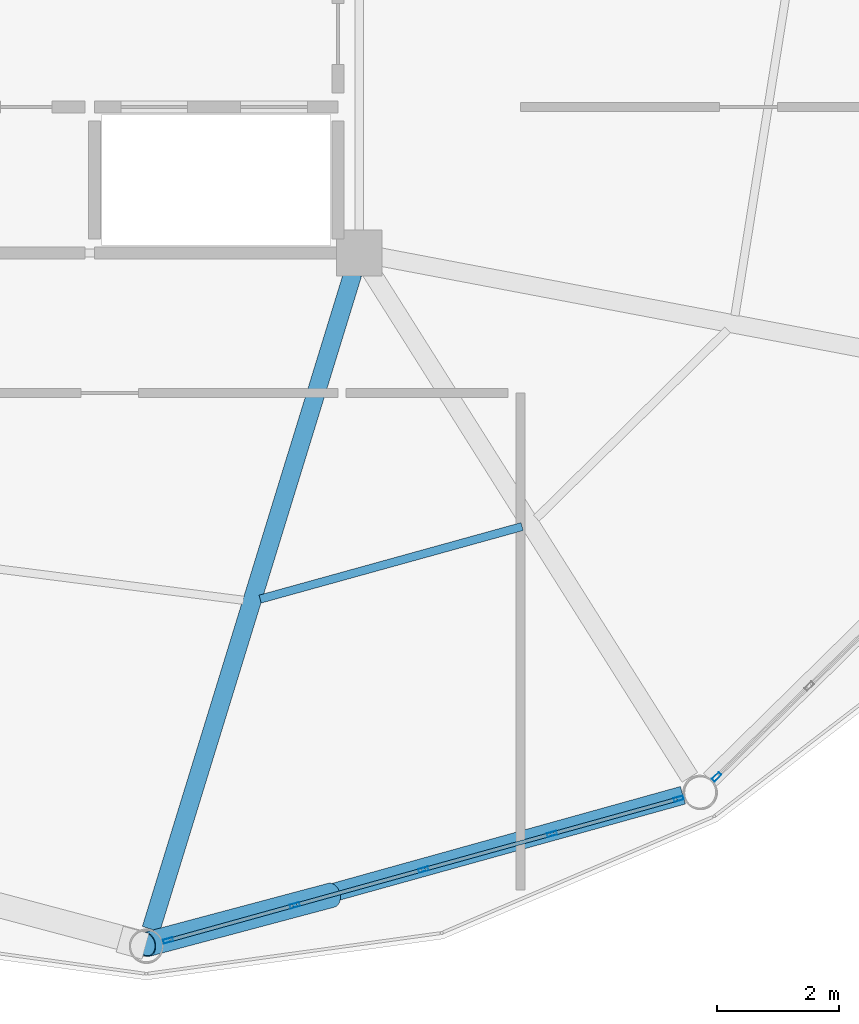
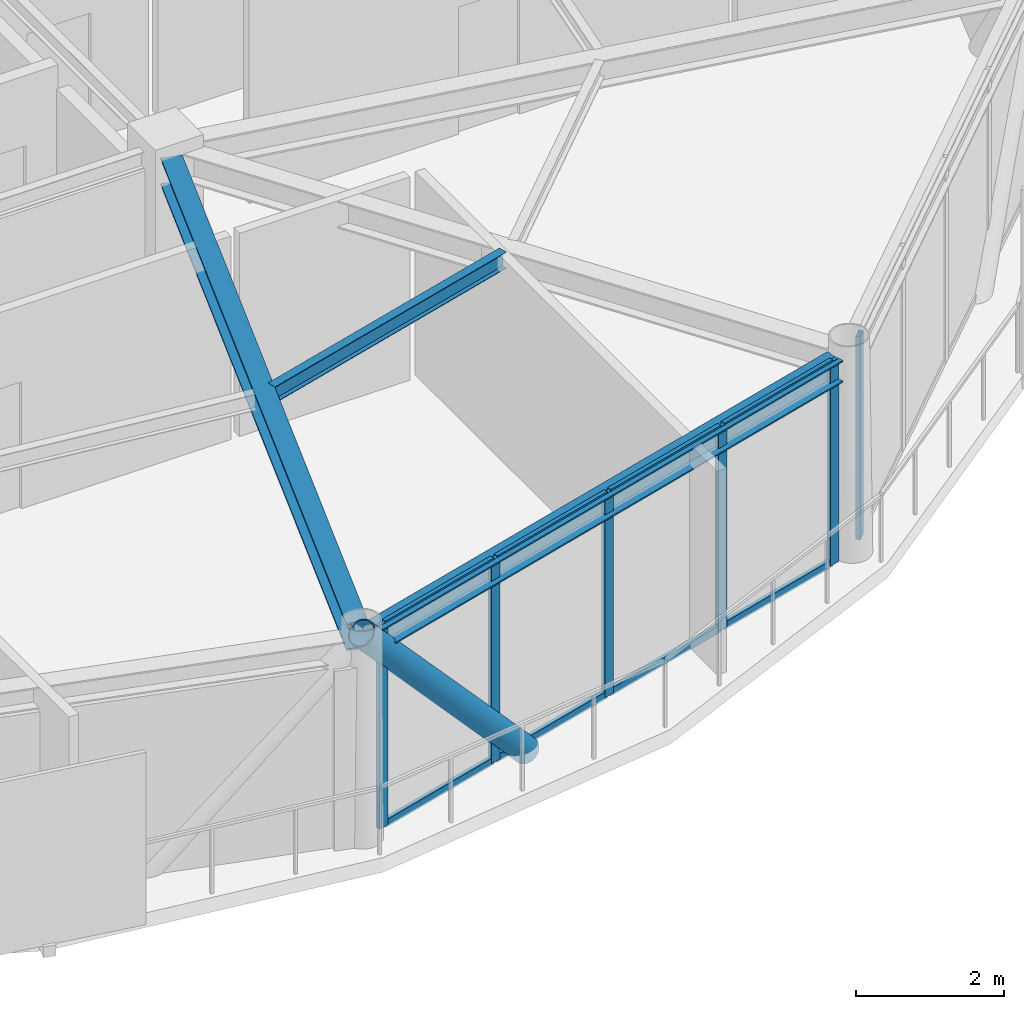
# One storey, part 7 of 26: 15 members, 3 beams, 2 elements without a shape of their own.
"""IFC4 building model written with IfcOpenShell, lengths in metres."""

from ifc_helpers import new_model, si_unit, direction, frame, origin, origin_2d, place, context, subcontext, project, spatial, hollow_rectangle, hollow_circle, i_section, extrude, material, layer, layer_set, material_profile, profile_set, type_object, element, aggregate, save


model = new_model("IFC4")

# Units and contexts
model_context = context("Model", 3, precision=1e-05, world=origin(), true_north=direction((0.0, 1.0)))
body_context = subcontext(model_context, "Body", "Model", "MODEL_VIEW")
ifc_project = project(units=[si_unit("LENGTHUNIT", "METRE"), si_unit("AREAUNIT", "SQUARE_METRE"), si_unit("VOLUMEUNIT", "CUBIC_METRE"), si_unit("PLANEANGLEUNIT", "RADIAN"), si_unit("MASSUNIT", "GRAM", prefix="KILO")], contexts=[model_context])

# Site, building, storey
site_placement = place(None, origin())
site = spatial("IfcSite", under=ifc_project, at=site_placement, CompositionType="ELEMENT")
building_placement = place(site_placement, origin())
building = spatial("IfcBuilding", under=site, at=building_placement, Name="Varnakorn Sky Granary", CompositionType="ELEMENT")
storey_placement = place(building_placement, frame((0.0, 0.0, 256.199951171875)))
storey = spatial("IfcBuildingStorey", under=building, at=storey_placement, Name="L65", CompositionType="ELEMENT", Elevation=256.199951171875)

# Beams
ifc_material_1 = material(Name="Steel S355JR", Category="steel")
ifc_material_profile_1 = material_profile(ifc_material_1, i_section(OverallWidth=0.300048828125, OverallDepth=0.449951171875, WebThickness=0.013916015625, FlangeThickness=0.02587890625, at=origin_2d()), Name="HE 450 B")
ifc_profile_set_1 = profile_set([ifc_material_profile_1], Name="Steel S355JR")
beam_type_1 = type_object("IfcBeamType", Name="BM-RAD-Z5", PredefinedType="BEAM", material=ifc_profile_set_1)
beam_1_placement = place(storey_placement, frame((8.24560546875, -6.939208984375, 3.135009765625), z_axis=(-0.29418624369, -0.955748112226, 0.0), x_axis=(0.955748112226, -0.29418624369, 0.0)))
element("IfcBeam", 1, at=beam_1_placement, inside=storey, type_object=beam_type_1, Name="Radial Floor Girder RG10 L65", PredefinedType="BEAM", context=body_context, shape_type="SweptSolid", body=[
    extrude(i_section(OverallWidth=0.300048828125, OverallDepth=0.449951171875, WebThickness=0.013916015625, FlangeThickness=0.02587890625, at=origin_2d()), origin(), (0.0, 0.0, 1.0), 11.278076171875),
])
ifc_material_profile_2 = material_profile(ifc_material_1, i_section(OverallWidth=0.135009765625, OverallDepth=0.27001953125, WebThickness=0.006591796875, FlangeThickness=0.01025390625, at=origin_2d()), Name="IPE 270")
ifc_profile_set_2 = profile_set([ifc_material_profile_2], Name="Steel S355JR")
beam_type_2 = type_object("IfcBeamType", Name="BM-SEC-Z5", PredefinedType="BEAM", material=ifc_profile_set_2)
beam_2_placement = place(storey_placement, frame((6.7216796875, -12.29150390625, 3.22509765625), z_axis=(0.963732831999, 0.266868935112, 0.0), x_axis=(-0.266868935112, 0.963732831999, 0.0)))
element("IfcBeam", 2, at=beam_2_placement, inside=storey, type_object=beam_type_2, Name="Secondary Floor Chord Beam MSB10 L65", PredefinedType="BEAM", context=body_context, shape_type="SweptSolid", body=[
    extrude(i_section(OverallWidth=0.135009765625, OverallDepth=0.27001953125, WebThickness=0.006591796875, FlangeThickness=0.01025390625, at=origin_2d()), origin(), (0.0, 0.0, 1.0), 4.468994140625),
])
ifc_material_profile_3 = material_profile(ifc_material_1, i_section(OverallWidth=0.300048828125, OverallDepth=0.360107421875, WebThickness=0.012451171875, FlangeThickness=0.0224609375, at=origin_2d()), Name="HE 360 B")
ifc_profile_set_3 = profile_set([ifc_material_profile_3], Name="Steel S355JR")
beam_type_3 = type_object("IfcBeamType", Name="BM-SPD-Z5", PredefinedType="SPANDREL", material=ifc_profile_set_3)
beam_3_placement = place(storey_placement, frame((5.104736328125, -17.900146484375, 3.179931640625), z_axis=(0.963443151214, 0.267912848477, 0.0), x_axis=(-0.267912848477, 0.963443151214, 0.0)))
element("IfcBeam", 3, at=beam_3_placement, inside=storey, type_object=beam_type_3, Name="Perimeter Spandrel Ring Beam RB10 L65", PredefinedType="SPANDREL", context=body_context, shape_type="SweptSolid", body=[
    extrude(i_section(OverallWidth=0.300048828125, OverallDepth=0.360107421875, WebThickness=0.012451171875, FlangeThickness=0.0224609375, at=origin_2d()), origin(), (0.0, 0.0, 1.0), 8.89404296875),
])

# Curtain wall, members
ifc_material_2 = material(Name="Anodised Bronze Aluminium Alloy 6063-T6", Category="aluminium")
ifc_layer = layer(ifc_material_2, 0.159912109375, Name="Anodised Bronze Aluminium Alloy 6063-T6")
ifc_layer_set = layer_set([ifc_layer], Name="Anodised Bronze Aluminium Alloy 6063-T6")
curtain_wall_type = type_object("IfcCurtainWallType", Name="CW-OFF-1", PredefinedType="USERDEFINED", material=ifc_layer_set)
curtain_wall_1_placement = place(storey_placement, origin())
curtain_wall_1 = element("IfcCurtainWall", 4, at=curtain_wall_1_placement, inside=storey, type_object=curtain_wall_type, Name="Unitised Curtain Wall CW6 CW-L65-B10", ObjectType="CURTAIN WALL", PredefinedType="USERDEFINED")
ifc_material_profile_4 = material_profile(ifc_material_2, hollow_rectangle(XDim=0.06494140625, YDim=0.159912109375, WallThickness=0.00341796875, at=origin_2d()), Name="ALU MULL 65x160")
ifc_profile_set_4 = profile_set([ifc_material_profile_4], Name="Anodised Bronze Aluminium Alloy 6063-T6")
member_type_1 = type_object("IfcMemberType", Name="CW-OFF-1-MULL", PredefinedType="MULLION", material=ifc_profile_set_4)
member_1_placement = place(storey_placement, frame((13.60400390625, -15.575439453125, 0.0), z_axis=(0.0, 0.0, 1.0), x_axis=(0.26742939855, -0.963577457598, 0.0)))
member_1 = element("IfcMember", 5, at=member_1_placement, type_object=member_type_1, Name="CW6 mullion 1", PredefinedType="MULLION", context=body_context, shape_type="SweptSolid", body=[
    extrude(hollow_rectangle(XDim=0.06494140625, YDim=0.159912109375, WallThickness=0.00341796875, at=origin_2d()), origin(), (0.0, 0.0, 1.0), 3.360107421875),
])
member_2_placement = place(storey_placement, frame((11.520751953125, -16.153564453125, 0.0), z_axis=(0.0, 0.0, 1.0), x_axis=(0.26742939855, -0.963577457598, 0.0)))
member_2 = element("IfcMember", 6, at=member_2_placement, type_object=member_type_1, Name="CW6 mullion 2", PredefinedType="MULLION", context=body_context, shape_type="SweptSolid", body=[
    extrude(hollow_rectangle(XDim=0.06494140625, YDim=0.159912109375, WallThickness=0.00341796875, at=origin_2d()), origin(), (0.0, 0.0, 1.0), 3.360107421875),
])
member_3_placement = place(storey_placement, frame((9.40625, -16.740478515625, 0.0), z_axis=(0.0, 0.0, 1.0), x_axis=(0.26742939855, -0.963577457598, 0.0)))
member_3 = element("IfcMember", 7, at=member_3_placement, type_object=member_type_1, Name="CW6 mullion 3", PredefinedType="MULLION", context=body_context, shape_type="SweptSolid", body=[
    extrude(hollow_rectangle(XDim=0.06494140625, YDim=0.159912109375, WallThickness=0.00341796875, at=origin_2d()), origin(), (0.0, 0.0, 1.0), 3.360107421875),
])
member_4_placement = place(storey_placement, frame((7.291748046875, -17.327392578125, 0.0), z_axis=(0.0, 0.0, 1.0), x_axis=(0.26742939855, -0.963577457598, 0.0)))
member_4 = element("IfcMember", 8, at=member_4_placement, type_object=member_type_1, Name="CW6 mullion 4", PredefinedType="MULLION", context=body_context, shape_type="SweptSolid", body=[
    extrude(hollow_rectangle(XDim=0.06494140625, YDim=0.159912109375, WallThickness=0.00341796875, at=origin_2d()), origin(), (0.0, 0.0, 1.0), 3.360107421875),
])
member_5_placement = place(storey_placement, frame((5.20849609375, -17.905517578125, 0.0), z_axis=(0.0, 0.0, 1.0), x_axis=(0.26742939855, -0.963577457598, 0.0)))
member_5 = element("IfcMember", 9, at=member_5_placement, type_object=member_type_1, Name="CW6 mullion 5", PredefinedType="MULLION", context=body_context, shape_type="SweptSolid", body=[
    extrude(hollow_rectangle(XDim=0.06494140625, YDim=0.159912109375, WallThickness=0.00341796875, at=origin_2d()), origin(), (0.0, 0.0, 1.0), 3.360107421875),
])

# Curtain wall, member
curtain_wall_2_placement = place(storey_placement, origin())
curtain_wall_2 = element("IfcCurtainWall", 10, at=curtain_wall_2_placement, inside=storey, type_object=curtain_wall_type, Name="Unitised Curtain Wall CW6 CW-L65-B11", ObjectType="CURTAIN WALL", PredefinedType="USERDEFINED")
member_6_placement = place(storey_placement, frame((14.22802734375, -15.21533203125, 0.0), z_axis=(0.0, 0.0, 1.0), x_axis=(0.700118147913, -0.71402701557, 0.0)))
member_6 = element("IfcMember", 11, at=member_6_placement, type_object=member_type_1, Name="CW6 mullion 5", PredefinedType="MULLION", context=body_context, shape_type="SweptSolid", body=[
    extrude(hollow_rectangle(XDim=0.06494140625, YDim=0.159912109375, WallThickness=0.00341796875, at=origin_2d()), origin(), (0.0, 0.0, 1.0), 3.360107421875),
])
aggregate(curtain_wall_2, [member_6])

# Member
ifc_material_profile_5 = material_profile(ifc_material_2, hollow_rectangle(XDim=0.06494140625, YDim=0.1201171875, WallThickness=0.00341796875, at=origin_2d()), Name="ALU TRAN 65x120")
ifc_profile_set_5 = profile_set([ifc_material_profile_5], Name="Anodised Bronze Aluminium Alloy 6063-T6")
member_type_2 = type_object("IfcMemberType", Name="CW-OFF-1-TRAN", PredefinedType="USERDEFINED", material=ifc_profile_set_5)
member_7_placement = place(storey_placement, frame((13.57275390625, -15.583984375, 0.032470703125), z_axis=(-0.963574601747, -0.267439688281, 0.0), x_axis=(0.267439688281, -0.963574601747, 0.0)))
member_7 = element("IfcMember", 12, at=member_7_placement, type_object=member_type_2, Name="CW6 transom 1.1", ObjectType="TRANSOM", PredefinedType="USERDEFINED", context=body_context, shape_type="SweptSolid", body=[
    extrude(hollow_rectangle(XDim=0.06494140625, YDim=0.1201171875, WallThickness=0.00341796875, at=origin_2d()), origin(), (0.0, 0.0, 1.0), 2.096923828125),
])

member_8_placement = place(storey_placement, frame((13.57275390625, -15.583984375, 3.32763671875), z_axis=(-0.963574601747, -0.267439688281, 0.0), x_axis=(0.267439688281, -0.963574601747, 0.0)))
member_8 = element("IfcMember", 13, at=member_8_placement, type_object=member_type_2, Name="CW6 transom 1.2", ObjectType="TRANSOM", PredefinedType="USERDEFINED", context=body_context, shape_type="SweptSolid", body=[
    extrude(hollow_rectangle(XDim=0.06494140625, YDim=0.1201171875, WallThickness=0.00341796875, at=origin_2d()), origin(), (0.0, 0.0, 1.0), 2.096923828125),
])

member_9_placement = place(storey_placement, frame((11.489501953125, -16.162353515625, 0.032470703125), z_axis=(-0.963598348109, -0.267354116334, 0.0), x_axis=(0.267354116334, -0.963598348109, 0.0)))
member_9 = element("IfcMember", 14, at=member_9_placement, type_object=member_type_2, Name="CW6 transom 2.1", ObjectType="TRANSOM", PredefinedType="USERDEFINED", context=body_context, shape_type="SweptSolid", body=[
    extrude(hollow_rectangle(XDim=0.06494140625, YDim=0.1201171875, WallThickness=0.00341796875, at=origin_2d()), origin(), (0.0, 0.0, 1.0), 2.129638671875),
])

member_10_placement = place(storey_placement, frame((11.489501953125, -16.162353515625, 3.32763671875), z_axis=(-0.963598348109, -0.267354116334, 0.0), x_axis=(0.267354116334, -0.963598348109, 0.0)))
member_10 = element("IfcMember", 15, at=member_10_placement, type_object=member_type_2, Name="CW6 transom 2.2", ObjectType="TRANSOM", PredefinedType="USERDEFINED", context=body_context, shape_type="SweptSolid", body=[
    extrude(hollow_rectangle(XDim=0.06494140625, YDim=0.1201171875, WallThickness=0.00341796875, at=origin_2d()), origin(), (0.0, 0.0, 1.0), 2.129638671875),
])

member_11_placement = place(storey_placement, frame((9.375, -16.7490234375, 0.032470703125), z_axis=(-0.963568807844, -0.267460562606, 0.0), x_axis=(0.267460562606, -0.963568807844, 0.0)))
member_11 = element("IfcMember", 16, at=member_11_placement, type_object=member_type_2, Name="CW6 transom 3.1", ObjectType="TRANSOM", PredefinedType="USERDEFINED", context=body_context, shape_type="SweptSolid", body=[
    extrude(hollow_rectangle(XDim=0.06494140625, YDim=0.1201171875, WallThickness=0.00341796875, at=origin_2d()), origin(), (0.0, 0.0, 1.0), 2.129638671875),
])

member_12_placement = place(storey_placement, frame((9.375, -16.7490234375, 3.32763671875), z_axis=(-0.963568807844, -0.267460562606, 0.0), x_axis=(0.267460562606, -0.963568807844, 0.0)))
member_12 = element("IfcMember", 17, at=member_12_placement, type_object=member_type_2, Name="CW6 transom 3.2", ObjectType="TRANSOM", PredefinedType="USERDEFINED", context=body_context, shape_type="SweptSolid", body=[
    extrude(hollow_rectangle(XDim=0.06494140625, YDim=0.1201171875, WallThickness=0.00341796875, at=origin_2d()), origin(), (0.0, 0.0, 1.0), 2.129638671875),
])

member_13_placement = place(storey_placement, frame((7.26025390625, -17.3359375, 0.032470703125), z_axis=(-0.963574601747, -0.267439688281, 0.0), x_axis=(0.267439688281, -0.963574601747, 0.0)))
member_13 = element("IfcMember", 18, at=member_13_placement, type_object=member_type_2, Name="CW6 transom 4.1", ObjectType="TRANSOM", PredefinedType="USERDEFINED", context=body_context, shape_type="SweptSolid", body=[
    extrude(hollow_rectangle(XDim=0.06494140625, YDim=0.1201171875, WallThickness=0.00341796875, at=origin_2d()), origin(), (0.0, 0.0, 1.0), 2.096923828125),
])

member_14_placement = place(storey_placement, frame((7.26025390625, -17.3359375, 3.32763671875), z_axis=(-0.963574601747, -0.267439688281, 0.0), x_axis=(0.267439688281, -0.963574601747, 0.0)))
member_14 = element("IfcMember", 19, at=member_14_placement, type_object=member_type_2, Name="CW6 transom 4.2", ObjectType="TRANSOM", PredefinedType="USERDEFINED", context=body_context, shape_type="SweptSolid", body=[
    extrude(hollow_rectangle(XDim=0.06494140625, YDim=0.1201171875, WallThickness=0.00341796875, at=origin_2d()), origin(), (0.0, 0.0, 1.0), 2.096923828125),
])

aggregate(curtain_wall_1, [member_1, member_2, member_3, member_4, member_5, member_7, member_8, member_9, member_10, member_11, member_12, member_13, member_14])

ifc_material_3 = material(Name="Steel S460M", Category="steel")
ifc_material_profile_6 = material_profile(ifc_material_3, hollow_circle(Radius=0.203125, WallThickness=0.01611328125, at=origin_2d()), Name="CHS 406.4x16")
ifc_profile_set_6 = profile_set([ifc_material_profile_6], Name="Steel S460M")
member_type_3 = type_object("IfcMemberType", Name="MB-DIAG-T4", PredefinedType="BRACE", material=ifc_profile_set_6)
member_15_placement = place(storey_placement, frame((7.887451171875, -17.162109375, -0.1298828125), z_axis=(-0.646688118979, -0.172211055235, 0.743059775002), x_axis=(0.257329062346, -0.966323834784, 0.0)))
element("IfcMember", 20, at=member_15_placement, inside=storey, type_object=member_type_3, Name="Perimeter CHS Diagrid Brace DG10 L65", PredefinedType="BRACE", context=body_context, shape_type="SweptSolid", body=[
    extrude(hollow_circle(Radius=0.203125, WallThickness=0.01611328125, at=origin_2d()), origin(), (0.0, 0.0, 1.0), 4.69677734375),
])

save(model, "model.ifc")
